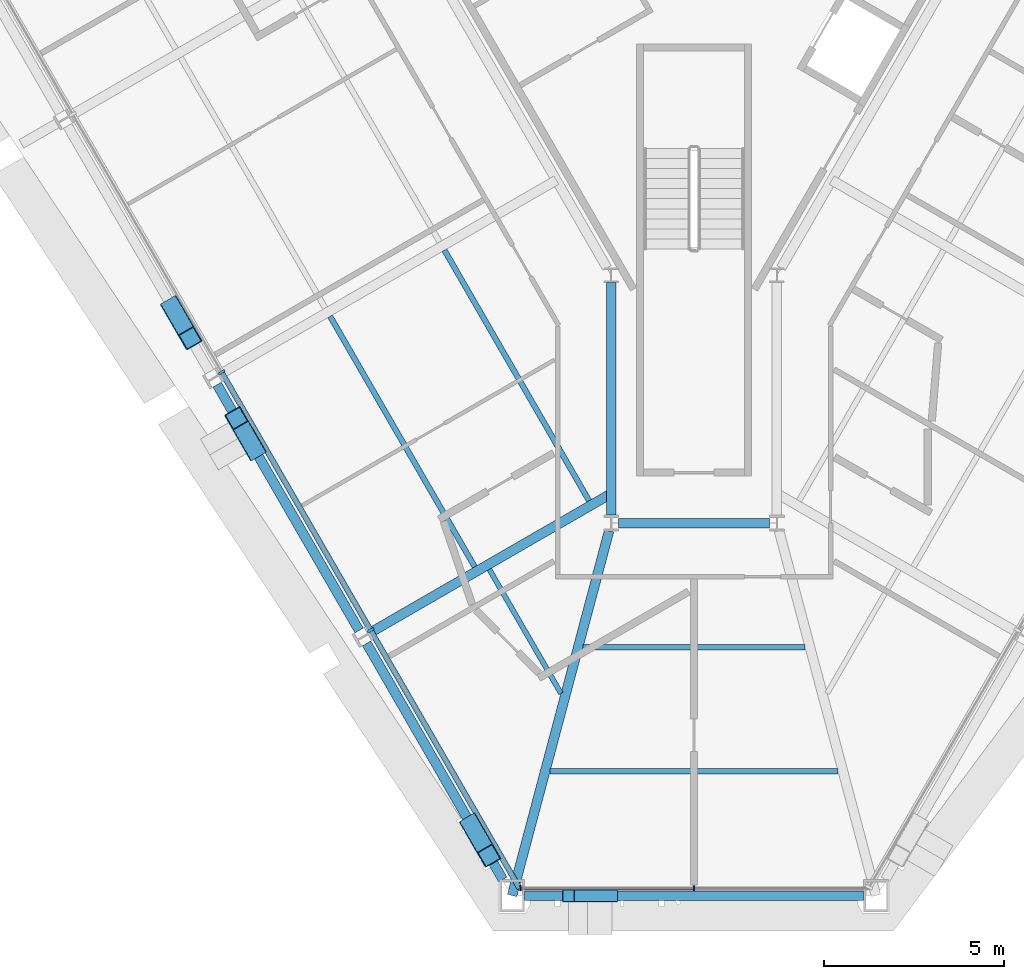
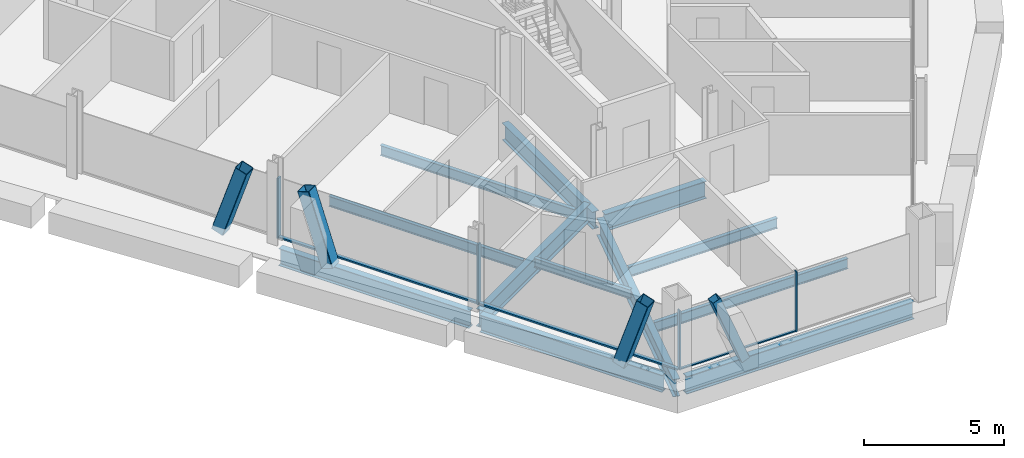
# One storey, part 3 of 17: 12 beams, 11 members, 2 elements without a shape of their own.
"""IFC4 building model written with IfcOpenShell, lengths in metres."""

from ifc_helpers import new_model, si_unit, direction, frame, origin, origin_2d, place, context, subcontext, project, spatial, rectangle, hollow_rectangle, i_section, extrude, material, material_profile, profile_set, type_object, element, aggregate, save


model = new_model("IFC4")

# Units and contexts
model_context = context("Model", 3, precision=1e-05, world=origin(), true_north=direction((0.0, 1.0)))
body_context = subcontext(model_context, "Body", "Model", "MODEL_VIEW")
ifc_project = project(units=[si_unit("LENGTHUNIT", "METRE"), si_unit("AREAUNIT", "SQUARE_METRE"), si_unit("VOLUMEUNIT", "CUBIC_METRE"), si_unit("PLANEANGLEUNIT", "RADIAN"), si_unit("MASSUNIT", "GRAM", prefix="KILO")], contexts=[model_context])

# Site, building, storey
site_placement = place(None, origin())
site = spatial("IfcSite", under=ifc_project, at=site_placement, CompositionType="ELEMENT")
building_placement = place(site_placement, origin())
building = spatial("IfcBuilding", under=site, at=building_placement, Name="Verrane Prism Tower", CompositionType="ELEMENT")
storey_placement = place(building_placement, frame((0.0, 0.0, 136.0)))
storey = spatial("IfcBuildingStorey", under=building, at=storey_placement, Name="L33", CompositionType="ELEMENT", Elevation=136.0)

# Member
ifc_material_1 = material(Name="Steel A500 Grade C", Category="steel")
ifc_material_profile_1 = material_profile(ifc_material_1, hollow_rectangle(XDim=0.355712890625, YDim=0.355712890625, WallThickness=0.0126953125, InnerFilletRadius=0.00634765625, OuterFilletRadius=0.01904296875, at=origin_2d()), Name="HSS14x14x1/2")
ifc_profile_set_1 = profile_set([ifc_material_profile_1], Name="Steel A500 Grade C")
member_type_1 = type_object("IfcMemberType", Name="Chamfer brace HSS14x14x1/2", PredefinedType="BRACE", material=ifc_profile_set_1)
member_1_placement = place(storey_placement, frame((-2.283935546875, -31.639892578125, -0.2451171875), z_axis=(-0.372015084341, 0.0, 0.928226684072), x_axis=(0.0, -1.0, 0.0)))
element("IfcMember", 1, at=member_1_placement, inside=storey, type_object=member_type_1, Name="Chamfer brace S0 L33", PredefinedType="BRACE", context=body_context, shape_type="SweptSolid", body=[
    extrude(hollow_rectangle(XDim=0.355712890625, YDim=0.355712890625, WallThickness=0.0126953125, InnerFilletRadius=0.00634765625, OuterFilletRadius=0.01904296875, at=origin_2d()), origin(), (0.0, 0.0, 1.0), 3.2353515625),
])

# Beams
ifc_material_2 = material(Name="Steel A992", Category="steel")
ifc_material_profile_2 = material_profile(ifc_material_2, i_section(OverallWidth=0.2666015625, OverallDepth=0.76708984375, WebThickness=0.014892578125, FlangeThickness=0.023681640625, FilletRadius=0.0166015625, at=origin_2d()), Name="W30x124")
ifc_profile_set_2 = profile_set([ifc_material_profile_2], Name="Steel A992")
beam_type_1 = type_object("IfcBeamType", Name="Chamfer spandrel beam W30x124", PredefinedType="SPANDREL", material=ifc_profile_set_2)
beam_1_placement = place(storey_placement, frame((-4.699951171875, -31.639892578125, -0.54345703125), z_axis=(1.0, 0.0, 0.0), x_axis=(0.0, 1.0, 0.0)))
element("IfcBeam", 2, at=beam_1_placement, inside=storey, type_object=beam_type_1, Name="Chamfer spandrel beam L33", PredefinedType="SPANDREL", context=body_context, shape_type="SweptSolid", body=[
    extrude(i_section(OverallWidth=0.2666015625, OverallDepth=0.76708984375, WebThickness=0.014892578125, FlangeThickness=0.023681640625, FilletRadius=0.0166015625, at=origin_2d()), origin(), (0.0, 0.0, 1.0), 9.39990234375),
])
ifc_material_3 = material(Name="Steel A992", Category="steel")
ifc_material_profile_3 = material_profile(ifc_material_3, i_section(OverallWidth=0.2666015625, OverallDepth=0.7568359375, WebThickness=0.013916015625, FlangeThickness=0.019287109375, FilletRadius=0.0166015625, at=origin_2d()), Name="W30x108")
ifc_profile_set_3 = profile_set([ifc_material_profile_3], Name="Steel A992")
beam_type_2 = type_object("IfcBeamType", Name="Core ring girder W30x108", PredefinedType="BEAM", material=ifc_profile_set_3)
beam_2_placement = place(storey_placement, frame((-2.300048828125, -14.619384765625, -0.62841796875), z_axis=(0.0, -1.0, 0.0), x_axis=(1.0, 0.0, 0.0)))
element("IfcBeam", 3, at=beam_2_placement, inside=storey, type_object=beam_type_2, Name="Core ring girder L33", PredefinedType="BEAM", context=body_context, shape_type="SweptSolid", body=[
    extrude(i_section(OverallWidth=0.2666015625, OverallDepth=0.7568359375, WebThickness=0.013916015625, FlangeThickness=0.019287109375, FilletRadius=0.0166015625, at=origin_2d()), origin(), (0.0, 0.0, 1.0), 6.46337890625),
])
beam_3_placement = place(storey_placement, frame((-2.09423828125, -21.300048828125, -0.62841796875), z_axis=(1.0, 0.0, 0.0), x_axis=(0.0, 1.0, 0.0)))
element("IfcBeam", 4, at=beam_3_placement, inside=storey, type_object=beam_type_2, Name="Core ring girder L33", PredefinedType="BEAM", context=body_context, shape_type="SweptSolid", body=[
    extrude(i_section(OverallWidth=0.2666015625, OverallDepth=0.7568359375, WebThickness=0.013916015625, FlangeThickness=0.019287109375, FilletRadius=0.0166015625, at=origin_2d()), origin(), (0.0, 0.0, 1.0), 4.1884765625),
])
ifc_material_4 = material(Name="Steel A992", Category="steel")
ifc_material_profile_4 = material_profile(ifc_material_4, i_section(OverallWidth=0.2666015625, OverallDepth=0.76708984375, WebThickness=0.014892578125, FlangeThickness=0.023681640625, FilletRadius=0.0166015625, at=origin_2d()), Name="W30x124")
ifc_profile_set_4 = profile_set([ifc_material_profile_4], Name="Steel A992")
beam_type_3 = type_object("IfcBeamType", Name="Corner girder W30x124", PredefinedType="BEAM", material=ifc_profile_set_4)
beam_4_placement = place(storey_placement, frame((-5.048828125, -31.635498046875, -0.603515625), z_axis=(0.257009497998, 0.966408877204, 0.0), x_axis=(-0.966408877204, 0.257009497998, 0.0)))
element("IfcBeam", 5, at=beam_4_placement, inside=storey, type_object=beam_type_3, Name="Corner girder L33", PredefinedType="BEAM", context=body_context, shape_type="SweptSolid", body=[
    extrude(i_section(OverallWidth=0.2666015625, OverallDepth=0.76708984375, WebThickness=0.014892578125, FlangeThickness=0.023681640625, FilletRadius=0.0166015625, at=origin_2d()), origin(), (0.0, 0.0, 1.0), 10.47021484375),
])

# Members
ifc_material_5 = material(Name="Steel A1085 Grade A", Category="steel")
ifc_material_profile_5 = material_profile(ifc_material_5, hollow_rectangle(XDim=0.508056640625, YDim=0.508056640625, WallThickness=0.025390625, InnerFilletRadius=0.0126953125, OuterFilletRadius=0.0380859375, at=origin_2d()), Name="HSS20x20x1")
ifc_profile_set_5 = profile_set([ifc_material_profile_5], Name="Steel A1085 Grade A")
member_type_2 = type_object("IfcMemberType", Name="Facade brace HSS20x20x1", PredefinedType="BRACE", material=ifc_profile_set_5)
for number, where, z_axis, x_axis, name in (
    (6, (-14.47705078125, -15.31298828125, -0.24267578125), (0.156415747353, -0.270586137609, 0.949903814138), (0.86575820934, 0.500462509046, 0.0), "Facade brace SW3 L33"),
    (7, (-12.202880859375, -19.2470703125, -0.24267578125), (-0.156487685376, 0.270654316924, 0.949872541479), (-0.865713128384, -0.500540487217, 0.0), "Facade brace SW4 L33"),
):
    element("IfcMember", number, at=place(storey_placement, frame(where, z_axis=z_axis, x_axis=x_axis)), inside=storey, type_object=member_type_2, Name=name, PredefinedType="BRACE", context=body_context, shape_type="SweptSolid", body=[
        extrude(hollow_rectangle(XDim=0.508056640625, YDim=0.508056640625, WallThickness=0.025390625, InnerFilletRadius=0.0126953125, OuterFilletRadius=0.0380859375, at=origin_2d()), origin(), (0.0, 0.0, 1.0), 3.1669921875),
    ])
member_2_placement = place(storey_placement, frame((-6.18408203125, -29.6728515625, -0.24267578125), z_axis=(0.156036437753, -0.270673879917, 0.949941198614), x_axis=(0.866353965071, 0.499430482855, 0.0)))
element("IfcMember", 8, at=member_2_placement, inside=storey, type_object=member_type_2, Name="Facade brace SW5 L33", PredefinedType="BRACE", context=body_context, shape_type="SweptSolid", body=[
    extrude(hollow_rectangle(XDim=0.508056640625, YDim=0.508056640625, WallThickness=0.025390625, InnerFilletRadius=0.0126953125, OuterFilletRadius=0.0380859375, at=origin_2d()), origin(), (0.0, 0.0, 1.0), 3.166748046875),
])

# Beams
ifc_material_6 = material(Name="Steel A992", Category="steel")
ifc_material_profile_6 = material_profile(ifc_material_6, i_section(OverallWidth=0.140380859375, OverallDepth=0.40380859375, WebThickness=0.007080078125, FlangeThickness=0.01123046875, FilletRadius=0.01025390625, at=origin_2d()), Name="W16x31")
ifc_profile_set_6 = profile_set([ifc_material_profile_6], Name="Steel A992")
beam_type_4 = type_object("IfcBeamType", Name="Floor beam W16x31", PredefinedType="BEAM", material=ifc_profile_set_6)
beam_5_placement = place(storey_placement, frame((-3.69482421875, -26.025390625, -0.36181640625), z_axis=(-0.500073727646, 0.865982832923, 0.0), x_axis=(-0.865982832923, -0.500073727646, 0.0)))
element("IfcBeam", 9, at=beam_5_placement, inside=storey, type_object=beam_type_4, Name="Floor beam L33", PredefinedType="BEAM", context=body_context, shape_type="SweptSolid", body=[
    extrude(i_section(OverallWidth=0.140380859375, OverallDepth=0.40380859375, WebThickness=0.007080078125, FlangeThickness=0.01123046875, FilletRadius=0.01025390625, at=origin_2d()), origin(), (0.0, 0.0, 1.0), 3.970703125),
])
ifc_material_7 = material(Name="Steel A992", Category="steel")
ifc_material_profile_7 = material_profile(ifc_material_7, i_section(OverallWidth=0.15234375, OverallDepth=0.449462890625, WebThickness=0.007568359375, FlangeThickness=0.0107421875, FilletRadius=0.01025390625, at=origin_2d()), Name="W18x35")
ifc_profile_set_7 = profile_set([ifc_material_profile_7], Name="Steel A992")
beam_type_5 = type_object("IfcBeamType", Name="Floor beam W18x35", PredefinedType="BEAM", material=ifc_profile_set_7)
beam_6_placement = place(storey_placement, frame((-2.913330078125, -20.68017578125, -0.384765625), z_axis=(-0.499992771462, 0.866029577143, 0.0), x_axis=(-0.866029577143, -0.499992771462, 0.0)))
element("IfcBeam", 10, at=beam_6_placement, inside=storey, type_object=beam_type_5, Name="Floor beam L33", PredefinedType="BEAM", context=body_context, shape_type="SweptSolid", body=[
    extrude(i_section(OverallWidth=0.15234375, OverallDepth=0.449462890625, WebThickness=0.007568359375, FlangeThickness=0.0107421875, FilletRadius=0.01025390625, at=origin_2d()), origin(), (0.0, 0.0, 1.0), 8.0263671875),
])
beam_7_placement = place(storey_placement, frame((-6.0869140625, -22.51318359375, -0.384765625), z_axis=(-0.499983128917, 0.86603514409, 0.0), x_axis=(-0.86603514409, -0.499983128917, 0.0)))
element("IfcBeam", 11, at=beam_7_placement, inside=storey, type_object=beam_type_5, Name="Floor beam L33", PredefinedType="BEAM", context=body_context, shape_type="SweptSolid", body=[
    extrude(i_section(OverallWidth=0.15234375, OverallDepth=0.449462890625, WebThickness=0.007568359375, FlangeThickness=0.0107421875, FilletRadius=0.01025390625, at=origin_2d()), origin(), (0.0, 0.0, 1.0), 8.026123046875),
])
beam_8_placement = place(storey_placement, frame((-3.9951171875, -28.193359375, -0.384765625), z_axis=(1.0, 0.0, 0.0), x_axis=(0.0, 1.0, 0.0)))
element("IfcBeam", 12, at=beam_8_placement, inside=storey, type_object=beam_type_5, Name="Floor beam L33", PredefinedType="BEAM", context=body_context, shape_type="SweptSolid", body=[
    extrude(i_section(OverallWidth=0.15234375, OverallDepth=0.449462890625, WebThickness=0.007568359375, FlangeThickness=0.0107421875, FilletRadius=0.01025390625, at=origin_2d()), origin(), (0.0, 0.0, 1.0), 7.990234375),
])
beam_9_placement = place(storey_placement, frame((-3.07861328125, -24.74658203125, -0.384765625), z_axis=(1.0, 0.0, 0.0), x_axis=(0.0, 1.0, 0.0)))
element("IfcBeam", 13, at=beam_9_placement, inside=storey, type_object=beam_type_5, Name="Floor beam L33", PredefinedType="BEAM", context=body_context, shape_type="SweptSolid", body=[
    extrude(i_section(OverallWidth=0.15234375, OverallDepth=0.449462890625, WebThickness=0.007568359375, FlangeThickness=0.0107421875, FilletRadius=0.01025390625, at=origin_2d()), origin(), (0.0, 0.0, 1.0), 6.1572265625),
])

# Curtain wall, members
ifc_material_8 = material(Name="Aluminium framed insulated glazing", Category="aluminium")
curtain_wall_type_1 = type_object("IfcCurtainWallType", Name="Curtain wall CW-C 4200 module", PredefinedType="NOTDEFINED", material=ifc_material_8)
curtain_wall_1_placement = place(storey_placement, origin())
curtain_wall_1 = element("IfcCurtainWall", 14, at=curtain_wall_1_placement, inside=storey, type_object=curtain_wall_type_1, Name="Glazed curtain wall south corner L33", PredefinedType="NOTDEFINED")
ifc_material_9 = material(Name="Aluminium alloy 6063-T6", Category="aluminium")
ifc_material_profile_8 = material_profile(ifc_material_9, rectangle(XDim=0.139892578125, YDim=0.050048828125, at=origin_2d()), Name="Mullion 50x140 aluminium")
ifc_profile_set_8 = profile_set([ifc_material_profile_8], Name="Aluminium alloy 6063-T6")
member_type_3 = type_object("IfcMemberType", Name="Mullion 50x140 aluminium", PredefinedType="MULLION", material=ifc_profile_set_8)
member_3_placement = place(storey_placement, frame((-4.81689453125, -31.435546875, 0.0), z_axis=(0.0, 0.0, 1.0), x_axis=(0.0, 1.0, 0.0)))
member_3 = element("IfcMember", 15, at=member_3_placement, type_object=member_type_3, Name="CW32.5 mullion 1", PredefinedType="MULLION", context=body_context, shape_type="SweptSolid", body=[
    extrude(rectangle(XDim=0.139892578125, YDim=0.050048828125, at=origin_2d()), origin(), (0.0, 0.0, 1.0), 2.61279296875),
])
member_4_placement = place(storey_placement, frame((0.0, -31.435546875, 0.0), z_axis=(0.0, 0.0, 1.0), x_axis=(0.0, 1.0, 0.0)))
member_4 = element("IfcMember", 16, at=member_4_placement, type_object=member_type_3, Name="CW32.5 mullion 2", PredefinedType="MULLION", context=body_context, shape_type="SweptSolid", body=[
    extrude(rectangle(XDim=0.139892578125, YDim=0.050048828125, at=origin_2d()), origin(), (0.0, 0.0, 1.0), 2.61279296875),
])

ifc_material_10 = material(Name="Aluminium framed insulated glazing", Category="aluminium")
curtain_wall_type_2 = type_object("IfcCurtainWallType", Name="Curtain wall CW-A 8400 module", PredefinedType="NOTDEFINED", material=ifc_material_10)
curtain_wall_2_placement = place(storey_placement, origin())
curtain_wall_2 = element("IfcCurtainWall", 17, at=curtain_wall_2_placement, inside=storey, type_object=curtain_wall_type_2, Name="Glazed curtain wall south-west face L33", PredefinedType="NOTDEFINED")
ifc_material_11 = material(Name="Aluminium alloy 6063-T6", Category="aluminium")
ifc_material_profile_9 = material_profile(ifc_material_11, rectangle(XDim=0.199951171875, YDim=0.070068359375, at=origin_2d()), Name="Mullion 70x200 aluminium")
ifc_profile_set_9 = profile_set([ifc_material_profile_9], Name="Aluminium alloy 6063-T6")
member_type_4 = type_object("IfcMemberType", Name="Mullion 70x200 aluminium", PredefinedType="MULLION", material=ifc_profile_set_9)
member_5_placement = place(storey_placement, frame((-13.109619140625, -17.115478515625, 0.0), z_axis=(0.0, 0.0, 1.0), x_axis=(0.866025120648, 0.500000490406, 0.0)))
member_5 = element("IfcMember", 18, at=member_5_placement, type_object=member_type_4, Name="CW32.4 mullion 5", PredefinedType="MULLION", context=body_context, shape_type="SweptSolid", body=[
    extrude(rectangle(XDim=0.199951171875, YDim=0.070068359375, at=origin_2d()), origin(), (0.0, 0.0, 1.0), 2.61279296875),
])
member_6_placement = place(storey_placement, frame((-8.975830078125, -24.275390625, 0.0), z_axis=(0.0, 0.0, 1.0), x_axis=(0.866025120648, 0.500000490406, 0.0)))
member_6 = element("IfcMember", 19, at=member_6_placement, type_object=member_type_4, Name="CW32.4 mullion 6", PredefinedType="MULLION", context=body_context, shape_type="SweptSolid", body=[
    extrude(rectangle(XDim=0.199951171875, YDim=0.070068359375, at=origin_2d()), origin(), (0.0, 0.0, 1.0), 2.61279296875),
])

# Beams
ifc_material_12 = material(Name="Steel A992", Category="steel")
ifc_material_profile_10 = material_profile(ifc_material_12, i_section(OverallWidth=0.2666015625, OverallDepth=0.76708984375, WebThickness=0.014892578125, FlangeThickness=0.023681640625, FilletRadius=0.0166015625, at=origin_2d()), Name="W30x124")
ifc_profile_set_10 = profile_set([ifc_material_profile_10], Name="Steel A992")
beam_type_6 = type_object("IfcBeamType", Name="Radial girder W30x124", PredefinedType="BEAM", material=ifc_profile_set_10)
beam_10_placement = place(storey_placement, frame((-8.9931640625, -24.34619140625, -0.603515625), z_axis=(0.866039870605, 0.499974941895, 0.0), x_axis=(-0.499974941895, 0.866039870605, 0.0)))
element("IfcBeam", 20, at=beam_10_placement, inside=storey, type_object=beam_type_6, Name="Radial girder L33", PredefinedType="BEAM", context=body_context, shape_type="SweptSolid", body=[
    extrude(i_section(OverallWidth=0.2666015625, OverallDepth=0.76708984375, WebThickness=0.014892578125, FlangeThickness=0.023681640625, FilletRadius=0.0166015625, at=origin_2d()), origin(), (0.0, 0.0, 1.0), 7.728515625),
])
ifc_material_13 = material(Name="Steel A992", Category="steel")
ifc_material_profile_11 = material_profile(ifc_material_13, i_section(OverallWidth=0.2666015625, OverallDepth=0.7568359375, WebThickness=0.013916015625, FlangeThickness=0.019287109375, FilletRadius=0.0166015625, at=origin_2d()), Name="W30x108")
ifc_profile_set_11 = profile_set([ifc_material_profile_11], Name="Steel A992")
beam_type_7 = type_object("IfcBeamType", Name="Spandrel beam W30x108", PredefinedType="SPANDREL", material=ifc_profile_set_11)
beam_11_placement = place(storey_placement, frame((-13.235107421875, -17.46142578125, -0.53857421875), z_axis=(0.500410353056, -0.865788356675, 0.0), x_axis=(0.865788356675, 0.500410353056, 0.0)))
element("IfcBeam", 21, at=beam_11_placement, inside=storey, type_object=beam_type_7, Name="Spandrel beam L33", PredefinedType="SPANDREL", context=body_context, shape_type="SweptSolid", body=[
    extrude(i_section(OverallWidth=0.2666015625, OverallDepth=0.7568359375, WebThickness=0.013916015625, FlangeThickness=0.019287109375, FilletRadius=0.0166015625, at=origin_2d()), origin(), (0.0, 0.0, 1.0), 7.8740234375),
])
beam_12_placement = place(storey_placement, frame((-9.085205078125, -24.6416015625, -0.53857421875), z_axis=(0.499498748006, -0.866314608408, 0.0), x_axis=(0.866314608408, 0.499498748006, 0.0)))
element("IfcBeam", 22, at=beam_12_placement, inside=storey, type_object=beam_type_7, Name="Spandrel beam L33", PredefinedType="SPANDREL", context=body_context, shape_type="SweptSolid", body=[
    extrude(i_section(OverallWidth=0.2666015625, OverallDepth=0.7568359375, WebThickness=0.013916015625, FlangeThickness=0.019287109375, FilletRadius=0.0166015625, at=origin_2d()), origin(), (0.0, 0.0, 1.0), 7.558837890625),
])

# Member
ifc_material_14 = material(Name="Aluminium alloy 6063-T6", Category="aluminium")
ifc_material_profile_12 = material_profile(ifc_material_14, rectangle(XDim=0.10009765625, YDim=0.050048828125, at=origin_2d()), Name="Transom 50x100 aluminium")
ifc_profile_set_12 = profile_set([ifc_material_profile_12], Name="Aluminium alloy 6063-T6")
member_type_5 = type_object("IfcMemberType", Name="Transom 50x100 aluminium", PredefinedType="USERDEFINED", material=ifc_profile_set_12)
member_7_placement = place(storey_placement, frame((-4.7919921875, -31.435546875, 0.02490234375), z_axis=(1.0, 0.0, 0.0), x_axis=(0.0, 1.0, 0.0)))
member_7 = element("IfcMember", 23, at=member_7_placement, type_object=member_type_5, Name="CW32.5 transom 1", ObjectType="TRANSOM", PredefinedType="USERDEFINED", context=body_context, shape_type="SweptSolid", body=[
    extrude(rectangle(XDim=0.10009765625, YDim=0.050048828125, at=origin_2d()), origin(), (0.0, 0.0, 1.0), 4.76708984375),
])

aggregate(curtain_wall_1, [member_3, member_4, member_7])

ifc_material_15 = material(Name="Aluminium alloy 6063-T6", Category="aluminium")
ifc_material_profile_13 = material_profile(ifc_material_15, rectangle(XDim=0.14990234375, YDim=0.070068359375, at=origin_2d()), Name="Transom 70x150 aluminium")
ifc_profile_set_13 = profile_set([ifc_material_profile_13], Name="Aluminium alloy 6063-T6")
member_type_6 = type_object("IfcMemberType", Name="Transom 70x150 aluminium", PredefinedType="USERDEFINED", material=ifc_profile_set_13)
member_8_placement = place(storey_placement, frame((-13.092041015625, -17.145751953125, 0.034912109375), z_axis=(0.500005171338, -0.866022418091, 0.0), x_axis=(0.866022418091, 0.500005171338, 0.0)))
member_8 = element("IfcMember", 24, at=member_8_placement, type_object=member_type_6, Name="CW32.4 transom 5", ObjectType="TRANSOM", PredefinedType="USERDEFINED", context=body_context, shape_type="SweptSolid", body=[
    extrude(rectangle(XDim=0.14990234375, YDim=0.070068359375, at=origin_2d()), origin(), (0.0, 0.0, 1.0), 8.19775390625),
])

member_9_placement = place(storey_placement, frame((-8.958251953125, -24.305908203125, 0.034912109375), z_axis=(0.500014236345, -0.866017184271, 0.0), x_axis=(0.866017184271, 0.500014236345, 0.0)))
member_9 = element("IfcMember", 25, at=member_9_placement, type_object=member_type_6, Name="CW32.4 transom 6", ObjectType="TRANSOM", PredefinedType="USERDEFINED", context=body_context, shape_type="SweptSolid", body=[
    extrude(rectangle(XDim=0.14990234375, YDim=0.070068359375, at=origin_2d()), origin(), (0.0, 0.0, 1.0), 8.232666015625),
])

aggregate(curtain_wall_2, [member_5, member_6, member_8, member_9])

save(model, "model.ifc")
